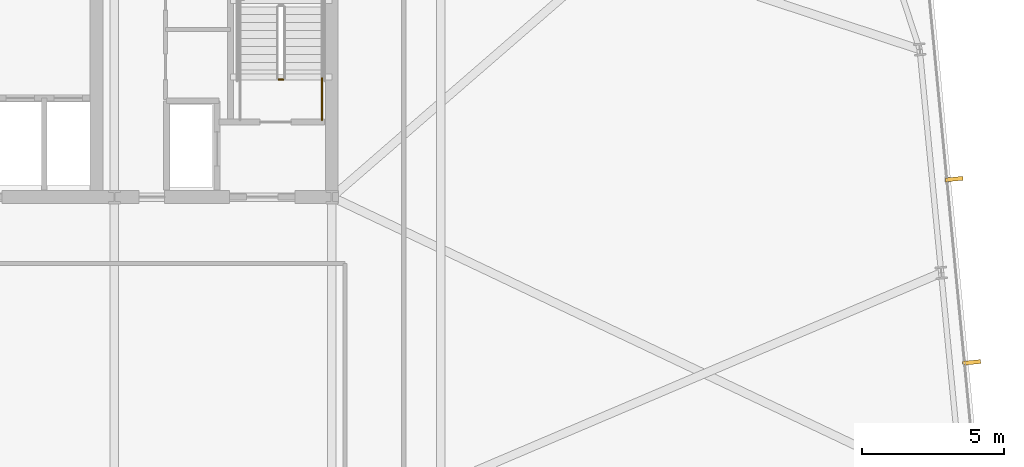
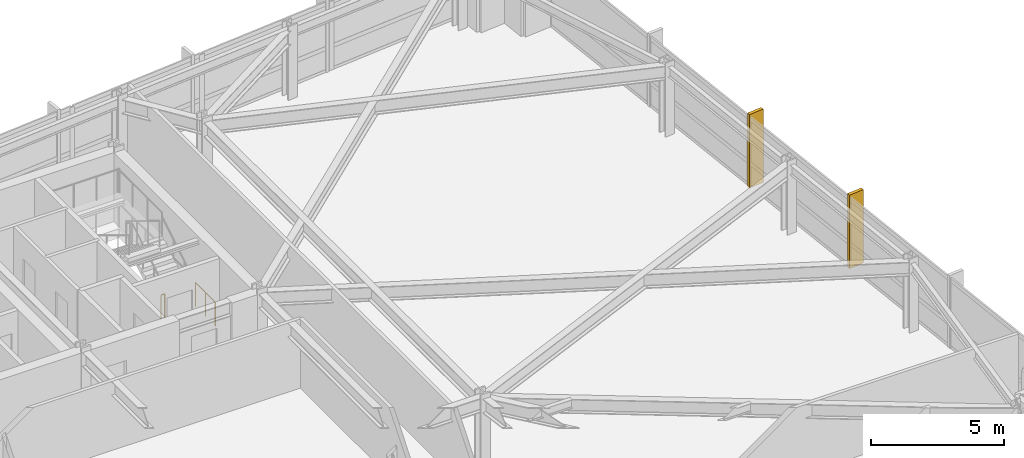
# One storey, part 31 of 33: 2 railings, 2 shading devices.
"""IFC4 building model written with IfcOpenShell, lengths in metres."""

from ifc_helpers import new_model, si_unit, direction, frame, origin, origin_2d, place, context, subcontext, project, spatial, rectangle, circle, extrude, material, layer, layer_set, type_object, element, save


model = new_model("IFC4")

# Units and contexts
model_context = context("Model", 3, precision=1e-05, world=origin(), true_north=direction((0.0, 1.0)))
body_context = subcontext(model_context, "Body", "Model", "MODEL_VIEW")
ifc_project = project(units=[si_unit("LENGTHUNIT", "METRE"), si_unit("AREAUNIT", "SQUARE_METRE"), si_unit("VOLUMEUNIT", "CUBIC_METRE"), si_unit("PLANEANGLEUNIT", "RADIAN"), si_unit("MASSUNIT", "GRAM", prefix="KILO")], contexts=[model_context])

# Site, building, storey
site_placement = place(None, origin())
site = spatial("IfcSite", under=ifc_project, at=site_placement, CompositionType="ELEMENT")
building_placement = place(site_placement, origin())
building = spatial("IfcBuilding", under=site, at=building_placement, Name="Yelkora Congress Tower", CompositionType="ELEMENT")
storey_placement = place(building_placement, frame((0.0, 0.0, 89.699951171875)))
storey = spatial("IfcBuildingStorey", under=building, at=storey_placement, Name="L23", CompositionType="ELEMENT", Elevation=89.699951171875)

# Railings
ifc_material_1 = material(Name="Painted galvanised steel stair well guard with vertical infill", Category="steel")
ifc_layer_1 = layer(ifc_material_1, 0.06005859375)
ifc_layer_set_1 = layer_set([ifc_layer_1], Name="Painted galvanised steel stair well guard with vertical infill")
railing_type = type_object("IfcRailingType", Name="RAIL-STAIR-GUARD-1120", PredefinedType="GUARDRAIL", material=ifc_layer_set_1)
railing_1_placement = place(storey_placement, frame((52.0400390625, 39.550048828125, 0.0)))
element("IfcRailing", 1, at=railing_1_placement, inside=storey, type_object=railing_type, Name="ST-02 L23 Stair Well Guardrail 7", PredefinedType="GUARDRAIL", context=body_context, shape_type="SweptSolid", body=[
    extrude(circle(Radius=0.02392578125, at=origin_2d()), frame((0.0, 0.0, 1.09619140625), z_axis=(-1.0, 0.0, 0.0), x_axis=(0.0, -1.0, 0.0)), (0.0, 0.0, 1.0), 0.16015625),
    extrude(circle(Radius=0.02099609375, at=origin_2d()), origin(), (0.0, 0.0, 1.0), 1.072021484375),
    extrude(circle(Radius=0.02099609375, at=origin_2d()), frame((-0.16015625, 0.0, 0.0)), (0.0, 0.0, 1.0), 1.072021484375),
])
railing_2_placement = place(storey_placement, frame((53.409912109375, 38.1201171875, 0.0)))
element("IfcRailing", 2, at=railing_2_placement, inside=storey, type_object=railing_type, Name="ST-02 L23 Stair Well Guardrail 8", PredefinedType="GUARDRAIL", context=body_context, shape_type="SweptSolid", body=[
    extrude(circle(Radius=0.02392578125, at=origin_2d()), frame((0.0, 0.0, 1.09619140625), z_axis=(0.0, 1.0, 0.0), x_axis=(-1.0, 0.0, 0.0)), (0.0, 0.0, 1.0), 1.47998046875),
    extrude(circle(Radius=0.02099609375, at=origin_2d()), origin(), (0.0, 0.0, 1.0), 1.072021484375),
    extrude(circle(Radius=0.02099609375, at=origin_2d()), frame((0.0, 0.739990234375, 0.0)), (0.0, 0.0, 1.0), 1.072021484375),
    extrude(circle(Radius=0.02099609375, at=origin_2d()), frame((0.0, 1.47998046875, 0.0)), (0.0, 0.0, 1.0), 1.072021484375),
])

# Shading devices
ifc_material_2 = material(Name="Champagne anodised aluminium", Category="aluminium")
ifc_layer_2 = layer(ifc_material_2, 3.39990234375)
ifc_layer_set_2 = layer_set([ifc_layer_2], Name="Champagne anodised aluminium")
shading_device_type = type_object("IfcShadingDeviceType", Name="SHD-FIN-ALU-640", PredefinedType="USERDEFINED", material=ifc_layer_set_2)
for number, where, z_axis, x_axis, name in (
    (3, (75.736328125, 36.03271484375, -0.02978515625), (0.0, 0.0, 1.0), (0.09584575252, -0.995396198367, 0.0), "L23 Vertical Anodised Solar Fin 15-2"),
    (4, (76.35986328125, 29.558837890625, -0.02978515625), (0.0, 0.0, 1.0), (0.09584575252, -0.995396198367, 0.0), "L23 Vertical Anodised Solar Fin 15-3"),
):
    element("IfcShadingDevice", number, at=place(storey_placement, frame(where, z_axis=z_axis, x_axis=x_axis)), inside=storey, type_object=shading_device_type, Name=name, ObjectType="FIN", PredefinedType="USERDEFINED", context=body_context, shape_type="SweptSolid", body=[
        extrude(rectangle(XDim=0.139892578125, YDim=0.639892578125, at=origin_2d()), origin(), (0.0, 0.0, 1.0), 3.3798828125),
    ])

save(model, "model.ifc")
